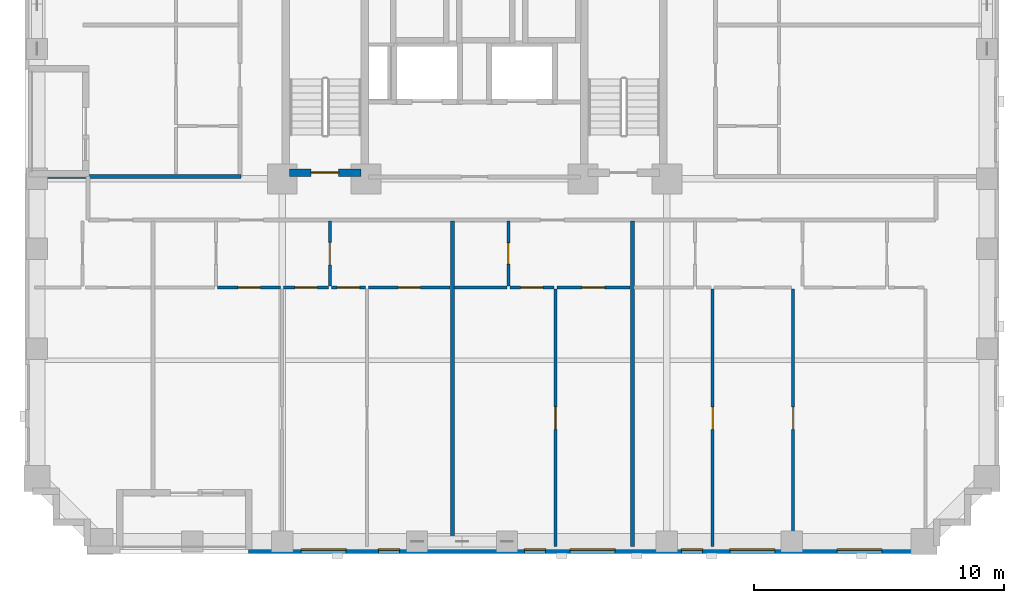
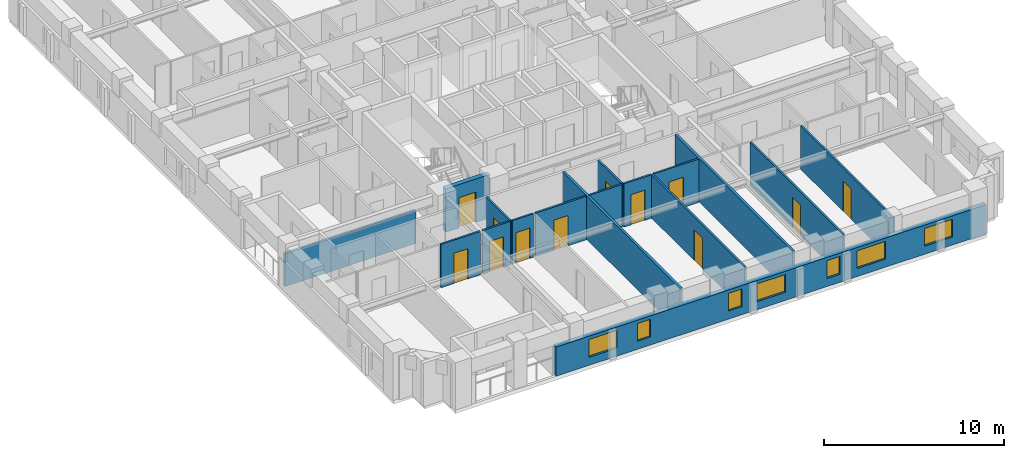
# One storey, part 3 of 14: 17 walls, 12 doors, 7 windows, 19 openings.
"""IFC4 building model written with IfcOpenShell, lengths in metres."""

from ifc_helpers import new_model, si_unit, derived_unit, direction, frame, frame_2d, origin, place, context, subcontext, project, spatial, rectangle, extrude, material, layer, layer_set, type_object, element, fill, save


model = new_model("IFC4")

# Units and contexts
model_context = context("Model", 3, precision=1e-05, world=origin(), true_north=direction((0.0, 1.0)))
body_context = subcontext(model_context, "Body", "Model", "MODEL_VIEW")
ifc_project = project(units=[si_unit("LENGTHUNIT", "METRE"), si_unit("AREAUNIT", "SQUARE_METRE"), si_unit("VOLUMEUNIT", "CUBIC_METRE"), si_unit("PLANEANGLEUNIT", "RADIAN"), si_unit("MASSUNIT", "GRAM", prefix="KILO"), derived_unit("THERMALTRANSMITTANCEUNIT", [(si_unit("MASSUNIT", "GRAM", prefix="KILO"), 1), (si_unit("TIMEUNIT", "SECOND"), -3), (si_unit("THERMODYNAMICTEMPERATUREUNIT", "KELVIN"), -1)])], contexts=[model_context])

# Site, building, storey
site_placement = place(None, origin())
site = spatial("IfcSite", under=ifc_project, at=site_placement, CompositionType="ELEMENT")
building_placement = place(site_placement, origin())
building = spatial("IfcBuilding", under=site, at=building_placement, Name="Korrvale Station Residences", CompositionType="ELEMENT")
storey_placement = place(building_placement, frame((0.0, 0.0, 57.800048828125)))
storey = spatial("IfcBuildingStorey", under=building, at=storey_placement, Name="L15", CompositionType="ELEMENT", Elevation=57.800048828125)

# Wall, opening, door
ifc_material_1 = material(Name="Concrete C70/85", Category="concrete")
ifc_layer_1 = layer(ifc_material_1, 0.300048828125, Name="Concrete C70/85")
ifc_layer_set_1 = layer_set([ifc_layer_1], Name="Concrete C70/85")
wall_type_1 = type_object("IfcWallType", Name="WAL-CORE-300-C70", PredefinedType="SHEAR", material=ifc_layer_set_1)
wall_1_placement = place(storey_placement, frame((18.10009765625, 15.25, 0.0), z_axis=(0.0, 0.0, 1.0), x_axis=(1.0, 0.0, 0.0)))
wall_1 = element("IfcWall", 1, at=wall_1_placement, inside=storey, type_object=wall_type_1, Name="L15 ST-1 Core Shear Wall South", PredefinedType="SHEAR", context=body_context, shape_type="SweptSolid", body=[
    extrude(rectangle(XDim=2.849853515625, YDim=0.300048828125, at=frame_2d((1.4248046875, 0.0))), origin(), (0.0, 0.0, 1.0), 2.93994140625),
])
opening_1_placement = place(wall_1_placement, frame((0.860107421875, 0.0, 0.0)))
opening_1 = element("IfcOpeningElement", 2, at=opening_1_placement, cuts=wall_1, Name="Opening SD-1100", PredefinedType="OPENING", context=body_context, shape_type="SweptSolid", body=[
    extrude(rectangle(XDim=1.10009765625, YDim=2.050048828125, at=frame_2d((0.550048828125, 1.02490234375))), frame((0.0, 0.16015625, 0.0), z_axis=(0.0, -1.0, 0.0), x_axis=(1.0, 0.0, 0.0)), (0.0, 0.0, 1.0), 0.320068359375),
])
ifc_material_2 = material(Name="Hollow-metal fire-rated stair door with closer", Category="steel")
door_type_1 = type_object("IfcDoorType", Name="DR-STAIR-1100", OperationType="NOTDEFINED", PredefinedType="DOOR", material=ifc_material_2)
door_1_placement = place(opening_1_placement, origin())
door_1 = element("IfcDoor", 3, at=door_1_placement, inside=storey, type_object=door_type_1, Name="L15 ST-1 Exit Stair Door", OperationType="SINGLE_SWING_LEFT", OverallHeight=2.050048828125, OverallWidth=1.10009765625, PredefinedType="DOOR", context=body_context, shape_type="SweptSolid", body=[
    extrude(rectangle(XDim=1.10009765625, YDim=2.050048828125, at=frame_2d((0.550048828125, 1.02490234375))), frame((0.0, 0.02490234375, 0.0), z_axis=(0.0, -1.0, 0.0), x_axis=(1.0, 0.0, 0.0)), (0.0, 0.0, 1.0), 0.050048828125),
])
fill(opening_1, door_1)

# Wall, openings, windows
ifc_material_3 = material(Name="Precast concrete C45/55", Category="concrete")
ifc_layer_2 = layer(ifc_material_3, 0.300048828125, Name="Precast concrete C45/55")
ifc_layer_set_2 = layer_set([ifc_layer_2], Name="Precast concrete C45/55")
wall_type_2 = type_object("IfcWallType", Name="WAL-EXT-PC300", PredefinedType="SOLIDWALL", material=ifc_layer_set_2)
wall_2_placement = place(storey_placement, frame((44.0, 0.14990234375, 0.0), z_axis=(0.0, 0.0, 1.0), x_axis=(-1.0, 0.0, 0.0)))
wall_2 = element("IfcWall", 4, at=wall_2_placement, inside=storey, type_object=wall_type_2, Name="L15 South Exterior Precast Wall 1", PredefinedType="SOLIDWALL", context=body_context, shape_type="SweptSolid", body=[
    extrude(rectangle(XDim=27.550048828125, YDim=0.300048828125, at=frame_2d((13.77490234375, 0.0))), origin(), (0.0, 0.0, 1.0), 1.974853515625),
])
opening_2_placement = place(wall_2_placement, frame((23.639892578125, 0.0, 0.550048828125)))
opening_2 = element("IfcOpeningElement", 5, at=opening_2_placement, cuts=wall_2, Name="Opening W-09", PredefinedType="OPENING", context=body_context, shape_type="SweptSolid", body=[
    extrude(rectangle(XDim=1.800048828125, YDim=1.199951171875, at=frame_2d((0.89990234375, 0.60009765625))), frame((0.0, 0.16015625, 0.0), z_axis=(0.0, -1.0, 0.0), x_axis=(1.0, 0.0, 0.0)), (0.0, 0.0, 1.0), 0.320068359375),
])
opening_3_placement = place(wall_2_placement, frame((21.5, 0.0, 0.550048828125)))
opening_3 = element("IfcOpeningElement", 6, at=opening_3_placement, cuts=wall_2, Name="Opening W-11", PredefinedType="OPENING", context=body_context, shape_type="SweptSolid", body=[
    extrude(rectangle(XDim=0.85009765625, YDim=1.199951171875, at=frame_2d((0.425048828125, 0.60009765625))), frame((0.0, 0.16015625, 0.0), z_axis=(0.0, -1.0, 0.0), x_axis=(1.0, 0.0, 0.0)), (0.0, 0.0, 1.0), 0.320068359375),
])
opening_4_placement = place(wall_2_placement, frame((15.64990234375, 0.0, 0.550048828125)))
opening_4 = element("IfcOpeningElement", 7, at=opening_4_placement, cuts=wall_2, Name="Opening W-11", PredefinedType="OPENING", context=body_context, shape_type="SweptSolid", body=[
    extrude(rectangle(XDim=0.85009765625, YDim=1.199951171875, at=frame_2d((0.425048828125, 0.60009765625))), frame((0.0, 0.16015625, 0.0), z_axis=(0.0, -1.0, 0.0), x_axis=(1.0, 0.0, 0.0)), (0.0, 0.0, 1.0), 0.320068359375),
])
opening_5_placement = place(wall_2_placement, frame((12.875, 0.0, 0.550048828125)))
opening_5 = element("IfcOpeningElement", 8, at=opening_5_placement, cuts=wall_2, Name="Opening W-09", PredefinedType="OPENING", context=body_context, shape_type="SweptSolid", body=[
    extrude(rectangle(XDim=1.800048828125, YDim=1.199951171875, at=frame_2d((0.89990234375, 0.60009765625))), frame((0.0, 0.16015625, 0.0), z_axis=(0.0, -1.0, 0.0), x_axis=(1.0, 0.0, 0.0)), (0.0, 0.0, 1.0), 0.320068359375),
])
opening_6_placement = place(wall_2_placement, frame((9.364990234375, 0.0, 0.550048828125)))
opening_6 = element("IfcOpeningElement", 9, at=opening_6_placement, cuts=wall_2, Name="Opening W-11", PredefinedType="OPENING", context=body_context, shape_type="SweptSolid", body=[
    extrude(rectangle(XDim=0.85009765625, YDim=1.199951171875, at=frame_2d((0.425048828125, 0.60009765625))), frame((0.0, 0.16015625, 0.0), z_axis=(0.0, -1.0, 0.0), x_axis=(1.0, 0.0, 0.0)), (0.0, 0.0, 1.0), 0.320068359375),
])
opening_7_placement = place(wall_2_placement, frame((6.47705078125, 0.0, 0.550048828125)))
opening_7 = element("IfcOpeningElement", 10, at=opening_7_placement, cuts=wall_2, Name="Opening W-09", PredefinedType="OPENING", context=body_context, shape_type="SweptSolid", body=[
    extrude(rectangle(XDim=1.800048828125, YDim=1.199951171875, at=frame_2d((0.89990234375, 0.60009765625))), frame((0.0, 0.16015625, 0.0), z_axis=(0.0, -1.0, 0.0), x_axis=(1.0, 0.0, 0.0)), (0.0, 0.0, 1.0), 0.320068359375),
])
opening_8_placement = place(wall_2_placement, frame((2.18603515625, 0.0, 0.550048828125)))
opening_8 = element("IfcOpeningElement", 11, at=opening_8_placement, cuts=wall_2, Name="Opening W-09", PredefinedType="OPENING", context=body_context, shape_type="SweptSolid", body=[
    extrude(rectangle(XDim=1.800048828125, YDim=1.199951171875, at=frame_2d((0.89990234375, 0.60009765625))), frame((0.0, 0.16015625, 0.0), z_axis=(0.0, -1.0, 0.0), x_axis=(1.0, 0.0, 0.0)), (0.0, 0.0, 1.0), 0.320068359375),
])
ifc_material_4 = material(Name="Thermally broken aluminium frame with triple low-e glazing", Category="aluminium")
window_type_1 = type_object("IfcWindowType", Name="WIN-W09", PartitioningType="DOUBLE_PANEL_VERTICAL", PredefinedType="WINDOW", material=ifc_material_4)
window_1_placement = place(opening_2_placement, origin())
window_1 = element("IfcWindow", 12, at=window_1_placement, inside=storey, type_object=window_type_1, Name="L15 Punched Window 04", OverallHeight=1.199951171875, OverallWidth=1.800048828125, PartitioningType="DOUBLE_PANEL_VERTICAL", PredefinedType="WINDOW", context=body_context, shape_type="SweptSolid", body=[
    extrude(rectangle(XDim=1.800048828125, YDim=1.199951171875, at=frame_2d((0.89990234375, 0.60009765625))), frame((0.0, 0.030029296875, 0.0), z_axis=(0.0, -1.0, 0.0), x_axis=(1.0, 0.0, 0.0)), (0.0, 0.0, 1.0), 0.06005859375),
])
fill(opening_2, window_1)
window_2_placement = place(opening_5_placement, origin())
window_2 = element("IfcWindow", 13, at=window_2_placement, inside=storey, type_object=window_type_1, Name="L15 Punched Window 07", OverallHeight=1.199951171875, OverallWidth=1.800048828125, PartitioningType="DOUBLE_PANEL_VERTICAL", PredefinedType="WINDOW", context=body_context, shape_type="SweptSolid", body=[
    extrude(rectangle(XDim=1.800048828125, YDim=1.199951171875, at=frame_2d((0.89990234375, 0.60009765625))), frame((0.0, 0.030029296875, 0.0), z_axis=(0.0, -1.0, 0.0), x_axis=(1.0, 0.0, 0.0)), (0.0, 0.0, 1.0), 0.06005859375),
])
fill(opening_5, window_2)
window_3_placement = place(opening_7_placement, origin())
window_3 = element("IfcWindow", 14, at=window_3_placement, inside=storey, type_object=window_type_1, Name="L15 Punched Window 09", OverallHeight=1.199951171875, OverallWidth=1.800048828125, PartitioningType="DOUBLE_PANEL_VERTICAL", PredefinedType="WINDOW", context=body_context, shape_type="SweptSolid", body=[
    extrude(rectangle(XDim=1.800048828125, YDim=1.199951171875, at=frame_2d((0.89990234375, 0.60009765625))), frame((0.0, 0.030029296875, 0.0), z_axis=(0.0, -1.0, 0.0), x_axis=(1.0, 0.0, 0.0)), (0.0, 0.0, 1.0), 0.06005859375),
])
fill(opening_7, window_3)
window_4_placement = place(opening_8_placement, origin())
window_4 = element("IfcWindow", 15, at=window_4_placement, inside=storey, type_object=window_type_1, Name="L15 Punched Window 10", OverallHeight=1.199951171875, OverallWidth=1.800048828125, PartitioningType="DOUBLE_PANEL_VERTICAL", PredefinedType="WINDOW", context=body_context, shape_type="SweptSolid", body=[
    extrude(rectangle(XDim=1.800048828125, YDim=1.199951171875, at=frame_2d((0.89990234375, 0.60009765625))), frame((0.0, 0.030029296875, 0.0), z_axis=(0.0, -1.0, 0.0), x_axis=(1.0, 0.0, 0.0)), (0.0, 0.0, 1.0), 0.06005859375),
])
fill(opening_8, window_4)
window_type_2 = type_object("IfcWindowType", Name="WIN-W11", PartitioningType="SINGLE_PANEL", PredefinedType="WINDOW", material=ifc_material_4)
window_5_placement = place(opening_3_placement, origin())
window_5 = element("IfcWindow", 16, at=window_5_placement, inside=storey, type_object=window_type_2, Name="L15 Punched Window 05", OverallHeight=1.199951171875, OverallWidth=0.85009765625, PartitioningType="SINGLE_PANEL", PredefinedType="WINDOW", context=body_context, shape_type="SweptSolid", body=[
    extrude(rectangle(XDim=0.85009765625, YDim=1.199951171875, at=frame_2d((0.425048828125, 0.60009765625))), frame((0.0, 0.030029296875, 0.0), z_axis=(0.0, -1.0, 0.0), x_axis=(1.0, 0.0, 0.0)), (0.0, 0.0, 1.0), 0.06005859375),
])
fill(opening_3, window_5)
window_6_placement = place(opening_4_placement, origin())
window_6 = element("IfcWindow", 17, at=window_6_placement, inside=storey, type_object=window_type_2, Name="L15 Punched Window 06", OverallHeight=1.199951171875, OverallWidth=0.85009765625, PartitioningType="SINGLE_PANEL", PredefinedType="WINDOW", context=body_context, shape_type="SweptSolid", body=[
    extrude(rectangle(XDim=0.85009765625, YDim=1.199951171875, at=frame_2d((0.425048828125, 0.60009765625))), frame((0.0, 0.030029296875, 0.0), z_axis=(0.0, -1.0, 0.0), x_axis=(1.0, 0.0, 0.0)), (0.0, 0.0, 1.0), 0.06005859375),
])
fill(opening_4, window_6)
window_7_placement = place(opening_6_placement, origin())
window_7 = element("IfcWindow", 18, at=window_7_placement, inside=storey, type_object=window_type_2, Name="L15 Punched Window 08", OverallHeight=1.199951171875, OverallWidth=0.85009765625, PartitioningType="SINGLE_PANEL", PredefinedType="WINDOW", context=body_context, shape_type="SweptSolid", body=[
    extrude(rectangle(XDim=0.85009765625, YDim=1.199951171875, at=frame_2d((0.425048828125, 0.60009765625))), frame((0.0, 0.030029296875, 0.0), z_axis=(0.0, -1.0, 0.0), x_axis=(1.0, 0.0, 0.0)), (0.0, 0.0, 1.0), 0.06005859375),
])
fill(opening_6, window_7)

# Wall, opening, door
ifc_material_5 = material(Name="Acoustic steel-stud gypsum board partition", Category="steel")
ifc_layer_3 = layer(ifc_material_5, 0.1201171875, Name="Acoustic steel-stud gypsum board partition")
ifc_layer_set_3 = layer_set([ifc_layer_3], Name="Acoustic steel-stud gypsum board partition")
wall_type_3 = type_object("IfcWallType", Name="WAL-PART-125", PredefinedType="PARTITIONING", material=ifc_layer_set_3)
wall_3_placement = place(storey_placement, frame((19.70703125, 10.7099609375, 0.0), z_axis=(0.0, 0.0, 1.0), x_axis=(0.0, 1.0, 0.0)))
wall_3 = element("IfcWall", 19, at=wall_3_placement, inside=storey, type_object=wall_type_3, Name="L15 Suite Partition U02-V12", PredefinedType="PARTITIONING", context=body_context, shape_type="SweptSolid", body=[
    extrude(rectangle(XDim=2.60009765625, YDim=0.1201171875, at=frame_2d((1.300048828125, 0.0))), origin(), (0.0, 0.0, 1.0), 2.93994140625),
])
opening_9_placement = place(wall_3_placement, frame((0.85009765625, 0.0, 0.0)))
opening_9 = element("IfcOpeningElement", 20, at=opening_9_placement, cuts=wall_3, Name="Opening DI-900", PredefinedType="OPENING", context=body_context, shape_type="SweptSolid", body=[
    extrude(rectangle(XDim=0.89990234375, YDim=2.050048828125, at=frame_2d((0.449951171875, 1.02490234375))), frame((0.0, 0.070068359375, 0.0), z_axis=(0.0, -1.0, 0.0), x_axis=(1.0, 0.0, 0.0)), (0.0, 0.0, 1.0), 0.14013671875),
])
ifc_material_6 = material(Name="Painted solid-core timber interior room door", Category="wood")
door_type_2 = type_object("IfcDoorType", Name="DR-INT-900", OperationType="NOTDEFINED", PredefinedType="DOOR", material=ifc_material_6)
door_2_placement = place(opening_9_placement, origin())
door_2 = element("IfcDoor", 21, at=door_2_placement, inside=storey, type_object=door_type_2, Name="L15 Apartment 2BR L15-U02 Kitchen Door", OperationType="SINGLE_SWING_LEFT", OverallHeight=2.050048828125, OverallWidth=0.89990234375, PredefinedType="DOOR", context=body_context, shape_type="SweptSolid", body=[
    extrude(rectangle(XDim=0.89990234375, YDim=2.050048828125, at=frame_2d((0.449951171875, 1.02490234375))), frame((0.0, 0.02490234375, 0.0), z_axis=(0.0, -1.0, 0.0), x_axis=(1.0, 0.0, 0.0)), (0.0, 0.0, 1.0), 0.050048828125),
])
fill(opening_9, door_2)

wall_4_placement = place(storey_placement, frame((15.20703125, 10.64990234375, 0.0), z_axis=(0.0, 0.0, 1.0), x_axis=(1.0, 0.0, 0.0)))
wall_4 = element("IfcWall", 22, at=wall_4_placement, inside=storey, type_object=wall_type_3, Name="L15 Suite Partition U02-H13", PredefinedType="PARTITIONING", context=body_context, shape_type="SweptSolid", body=[
    extrude(rectangle(XDim=2.532958984375, YDim=0.1201171875, at=frame_2d((1.2666015625, 0.0))), origin(), (0.0, 0.0, 1.0), 2.93994140625),
])
opening_10_placement = place(wall_4_placement, frame((0.81591796875, 0.0, 0.0)))
opening_10 = element("IfcOpeningElement", 23, at=opening_10_placement, cuts=wall_4, Name="Opening DI-900", PredefinedType="OPENING", context=body_context, shape_type="SweptSolid", body=[
    extrude(rectangle(XDim=0.89990234375, YDim=2.050048828125, at=frame_2d((0.449951171875, 1.02490234375))), frame((0.0, 0.070068359375, 0.0), z_axis=(0.0, -1.0, 0.0), x_axis=(1.0, 0.0, 0.0)), (0.0, 0.0, 1.0), 0.14013671875),
])
door_3_placement = place(opening_10_placement, origin())
door_3 = element("IfcDoor", 24, at=door_3_placement, inside=storey, type_object=door_type_2, Name="L15 Apartment 2BR L15-U02 Kitchen Door", OperationType="SINGLE_SWING_RIGHT", OverallHeight=2.050048828125, OverallWidth=0.89990234375, PredefinedType="DOOR", context=body_context, shape_type="SweptSolid", body=[
    extrude(rectangle(XDim=0.89990234375, YDim=2.050048828125, at=frame_2d((0.449951171875, 1.02490234375))), frame((0.0, 0.02490234375, 0.0), z_axis=(0.0, -1.0, 0.0), x_axis=(1.0, 0.0, 0.0)), (0.0, 0.0, 1.0), 0.050048828125),
])
fill(opening_10, door_3)

wall_5_placement = place(storey_placement, frame((17.860107421875, 10.64990234375, 0.0), z_axis=(0.0, 0.0, 1.0), x_axis=(1.0, 0.0, 0.0)))
wall_5 = element("IfcWall", 25, at=wall_5_placement, inside=storey, type_object=wall_type_3, Name="L15 Suite Partition U02-H14", PredefinedType="PARTITIONING", context=body_context, shape_type="SweptSolid", body=[
    extrude(rectangle(XDim=1.786865234375, YDim=0.1201171875, at=frame_2d((0.8935546875, 0.0))), origin(), (0.0, 0.0, 1.0), 2.93994140625),
])
opening_11_placement = place(wall_5_placement, frame((0.443115234375, 0.0, 0.0)))
opening_11 = element("IfcOpeningElement", 26, at=opening_11_placement, cuts=wall_5, Name="Opening DI-900", PredefinedType="OPENING", context=body_context, shape_type="SweptSolid", body=[
    extrude(rectangle(XDim=0.89990234375, YDim=2.050048828125, at=frame_2d((0.449951171875, 1.02490234375))), frame((0.0, 0.070068359375, 0.0), z_axis=(0.0, -1.0, 0.0), x_axis=(1.0, 0.0, 0.0)), (0.0, 0.0, 1.0), 0.14013671875),
])
door_4_placement = place(opening_11_placement, origin())
door_4 = element("IfcDoor", 27, at=door_4_placement, inside=storey, type_object=door_type_2, Name="L15 Apartment 2BR L15-U02 Kitchen Door", OperationType="SINGLE_SWING_LEFT", OverallHeight=2.050048828125, OverallWidth=0.89990234375, PredefinedType="DOOR", context=body_context, shape_type="SweptSolid", body=[
    extrude(rectangle(XDim=0.89990234375, YDim=2.050048828125, at=frame_2d((0.449951171875, 1.02490234375))), frame((0.0, 0.02490234375, 0.0), z_axis=(0.0, -1.0, 0.0), x_axis=(1.0, 0.0, 0.0)), (0.0, 0.0, 1.0), 0.050048828125),
])
fill(opening_11, door_4)

wall_6_placement = place(storey_placement, frame((19.76708984375, 10.64990234375, 0.0), z_axis=(0.0, 0.0, 1.0), x_axis=(1.0, 0.0, 0.0)))
wall_6 = element("IfcWall", 28, at=wall_6_placement, inside=storey, type_object=wall_type_3, Name="L15 Suite Partition U02-H24", PredefinedType="PARTITIONING", context=body_context, shape_type="SweptSolid", body=[
    extrude(rectangle(XDim=1.364013671875, YDim=0.1201171875, at=frame_2d((0.68212890625, 0.0))), origin(), (0.0, 0.0, 1.0), 2.93994140625),
])
opening_12_placement = place(wall_6_placement, frame((0.23193359375, 0.0, 0.0)))
opening_12 = element("IfcOpeningElement", 29, at=opening_12_placement, cuts=wall_6, Name="Opening DI-900", PredefinedType="OPENING", context=body_context, shape_type="SweptSolid", body=[
    extrude(rectangle(XDim=0.89990234375, YDim=2.050048828125, at=frame_2d((0.449951171875, 1.02490234375))), frame((0.0, 0.070068359375, 0.0), z_axis=(0.0, -1.0, 0.0), x_axis=(1.0, 0.0, 0.0)), (0.0, 0.0, 1.0), 0.14013671875),
])
door_5_placement = place(opening_12_placement, origin())
door_5 = element("IfcDoor", 30, at=door_5_placement, inside=storey, type_object=door_type_2, Name="L15 Apartment 2BR L15-U02 Home Study Room Door", OperationType="SINGLE_SWING_RIGHT", OverallHeight=2.050048828125, OverallWidth=0.89990234375, PredefinedType="DOOR", context=body_context, shape_type="SweptSolid", body=[
    extrude(rectangle(XDim=0.89990234375, YDim=2.050048828125, at=frame_2d((0.449951171875, 1.02490234375))), frame((0.0, 0.02490234375, 0.0), z_axis=(0.0, -1.0, 0.0), x_axis=(1.0, 0.0, 0.0)), (0.0, 0.0, 1.0), 0.050048828125),
])
fill(opening_12, door_5)

wall_7_placement = place(storey_placement, frame((21.2509765625, 10.64990234375, 0.0), z_axis=(0.0, 0.0, 1.0), x_axis=(1.0, 0.0, 0.0)))
wall_7 = element("IfcWall", 31, at=wall_7_placement, inside=storey, type_object=wall_type_3, Name="L15 Suite Partition U02-H25", PredefinedType="PARTITIONING", context=body_context, shape_type="SweptSolid", body=[
    extrude(rectangle(XDim=3.27001953125, YDim=0.1201171875, at=frame_2d((1.635009765625, 0.0))), origin(), (0.0, 0.0, 1.0), 2.93994140625),
])
opening_13_placement = place(wall_7_placement, frame((1.18505859375, 0.0, 0.0)))
opening_13 = element("IfcOpeningElement", 32, at=opening_13_placement, cuts=wall_7, Name="Opening DI-900", PredefinedType="OPENING", context=body_context, shape_type="SweptSolid", body=[
    extrude(rectangle(XDim=0.89990234375, YDim=2.050048828125, at=frame_2d((0.449951171875, 1.02490234375))), frame((0.0, 0.070068359375, 0.0), z_axis=(0.0, -1.0, 0.0), x_axis=(1.0, 0.0, 0.0)), (0.0, 0.0, 1.0), 0.14013671875),
])
door_6_placement = place(opening_13_placement, origin())
door_6 = element("IfcDoor", 33, at=door_6_placement, inside=storey, type_object=door_type_2, Name="L15 Apartment 2BR L15-U02 Home Study Room Door", OperationType="SINGLE_SWING_LEFT", OverallHeight=2.050048828125, OverallWidth=0.89990234375, PredefinedType="DOOR", context=body_context, shape_type="SweptSolid", body=[
    extrude(rectangle(XDim=0.89990234375, YDim=2.050048828125, at=frame_2d((0.449951171875, 1.02490234375))), frame((0.0, 0.02490234375, 0.0), z_axis=(0.0, -1.0, 0.0), x_axis=(1.0, 0.0, 0.0)), (0.0, 0.0, 1.0), 0.050048828125),
])
fill(opening_13, door_6)

wall_8_placement = place(storey_placement, frame((26.85205078125, 10.7099609375, 0.0), z_axis=(0.0, 0.0, 1.0), x_axis=(0.0, 1.0, 0.0)))
wall_8 = element("IfcWall", 34, at=wall_8_placement, inside=storey, type_object=wall_type_3, Name="L15 Suite Partition U03-V01", PredefinedType="PARTITIONING", context=body_context, shape_type="SweptSolid", body=[
    extrude(rectangle(XDim=2.60009765625, YDim=0.1201171875, at=frame_2d((1.300048828125, 0.0))), origin(), (0.0, 0.0, 1.0), 2.93994140625),
])
opening_14_placement = place(wall_8_placement, frame((0.8701171875, 0.0, 0.0)))
opening_14 = element("IfcOpeningElement", 35, at=opening_14_placement, cuts=wall_8, Name="Opening DB-860", PredefinedType="OPENING", context=body_context, shape_type="SweptSolid", body=[
    extrude(rectangle(XDim=0.860107421875, YDim=2.050048828125, at=frame_2d((0.43017578125, 1.02490234375))), frame((0.0, 0.070068359375, 0.0), z_axis=(0.0, -1.0, 0.0), x_axis=(1.0, 0.0, 0.0)), (0.0, 0.0, 1.0), 0.14013671875),
])
ifc_material_7 = material(Name="Moisture-resistant solid-core bathroom door", Category="timber")
door_type_3 = type_object("IfcDoorType", Name="DR-BATH-860", OperationType="NOTDEFINED", PredefinedType="DOOR", material=ifc_material_7)
door_7_placement = place(opening_14_placement, origin())
door_7 = element("IfcDoor", 36, at=door_7_placement, inside=storey, type_object=door_type_3, Name="L15 Apartment 1BR L15-U03 Bathroom Door", OperationType="SINGLE_SWING_RIGHT", OverallHeight=2.050048828125, OverallWidth=0.860107421875, PredefinedType="DOOR", context=body_context, shape_type="SweptSolid", body=[
    extrude(rectangle(XDim=0.860107421875, YDim=2.050048828125, at=frame_2d((0.43017578125, 1.02490234375))), frame((0.0, 0.02490234375, 0.0), z_axis=(0.0, -1.0, 0.0), x_axis=(1.0, 0.0, 0.0)), (0.0, 0.0, 1.0), 0.050048828125),
])
fill(opening_14, door_7)

# Wall
wall_9_placement = place(storey_placement, frame((24.680908203125, 10.64990234375, 0.0), z_axis=(0.0, 0.0, 1.0), x_axis=(1.0, 0.0, 0.0)))
element("IfcWall", 37, at=wall_9_placement, inside=storey, type_object=wall_type_3, Name="L15 Suite Partition U03-H02", PredefinedType="PARTITIONING", context=body_context, shape_type="SweptSolid", body=[
    extrude(rectangle(XDim=2.111083984375, YDim=0.1201171875, at=frame_2d((1.0556640625, 0.0))), origin(), (0.0, 0.0, 1.0), 2.93994140625),
])

# Wall, opening, door
wall_10_placement = place(storey_placement, frame((26.912109375, 10.64990234375, 0.0), z_axis=(0.0, 0.0, 1.0), x_axis=(1.0, 0.0, 0.0)))
wall_10 = element("IfcWall", 38, at=wall_10_placement, inside=storey, type_object=wall_type_3, Name="L15 Suite Partition U03-H12", PredefinedType="PARTITIONING", context=body_context, shape_type="SweptSolid", body=[
    extrude(rectangle(XDim=1.766845703125, YDim=0.1201171875, at=frame_2d((0.88330078125, 0.0))), origin(), (0.0, 0.0, 1.0), 2.93994140625),
])
opening_15_placement = place(wall_10_placement, frame((0.43310546875, 0.0, 0.0)))
opening_15 = element("IfcOpeningElement", 39, at=opening_15_placement, cuts=wall_10, Name="Opening DI-900", PredefinedType="OPENING", context=body_context, shape_type="SweptSolid", body=[
    extrude(rectangle(XDim=0.89990234375, YDim=2.050048828125, at=frame_2d((0.449951171875, 1.02490234375))), frame((0.0, 0.070068359375, 0.0), z_axis=(0.0, -1.0, 0.0), x_axis=(1.0, 0.0, 0.0)), (0.0, 0.0, 1.0), 0.14013671875),
])
door_8_placement = place(opening_15_placement, origin())
door_8 = element("IfcDoor", 40, at=door_8_placement, inside=storey, type_object=door_type_2, Name="L15 Apartment 1BR L15-U03 Kitchen Door", OperationType="SINGLE_SWING_LEFT", OverallHeight=2.050048828125, OverallWidth=0.89990234375, PredefinedType="DOOR", context=body_context, shape_type="SweptSolid", body=[
    extrude(rectangle(XDim=0.89990234375, YDim=2.050048828125, at=frame_2d((0.449951171875, 1.02490234375))), frame((0.0, 0.02490234375, 0.0), z_axis=(0.0, -1.0, 0.0), x_axis=(1.0, 0.0, 0.0)), (0.0, 0.0, 1.0), 0.050048828125),
])
fill(opening_15, door_8)

wall_11_placement = place(storey_placement, frame((28.799072265625, 10.64990234375, 0.0), z_axis=(0.0, 0.0, 1.0), x_axis=(1.0, 0.0, 0.0)))
wall_11 = element("IfcWall", 41, at=wall_11_placement, inside=storey, type_object=wall_type_3, Name="L15 Suite Partition U03-H13", PredefinedType="PARTITIONING", context=body_context, shape_type="SweptSolid", body=[
    extrude(rectangle(XDim=2.91796875, YDim=0.1201171875, at=frame_2d((1.458984375, 0.0))), origin(), (0.0, 0.0, 1.0), 2.93994140625),
])
opening_16_placement = place(wall_11_placement, frame((1.009033203125, 0.0, 0.0)))
opening_16 = element("IfcOpeningElement", 42, at=opening_16_placement, cuts=wall_11, Name="Opening DI-900", PredefinedType="OPENING", context=body_context, shape_type="SweptSolid", body=[
    extrude(rectangle(XDim=0.89990234375, YDim=2.050048828125, at=frame_2d((0.449951171875, 1.02490234375))), frame((0.0, 0.070068359375, 0.0), z_axis=(0.0, -1.0, 0.0), x_axis=(1.0, 0.0, 0.0)), (0.0, 0.0, 1.0), 0.14013671875),
])
door_9_placement = place(opening_16_placement, origin())
door_9 = element("IfcDoor", 43, at=door_9_placement, inside=storey, type_object=door_type_2, Name="L15 Apartment 1BR L15-U03 Kitchen Door", OperationType="SINGLE_SWING_RIGHT", OverallHeight=2.050048828125, OverallWidth=0.89990234375, PredefinedType="DOOR", context=body_context, shape_type="SweptSolid", body=[
    extrude(rectangle(XDim=0.89990234375, YDim=2.050048828125, at=frame_2d((0.449951171875, 1.02490234375))), frame((0.0, 0.02490234375, 0.0), z_axis=(0.0, -1.0, 0.0), x_axis=(1.0, 0.0, 0.0)), (0.0, 0.0, 1.0), 0.050048828125),
])
fill(opening_16, door_9)

wall_12_placement = place(storey_placement, frame((28.739013671875, 0.280029296875, 0.0), z_axis=(0.0, 0.0, 1.0), x_axis=(0.0, 1.0, 0.0)))
wall_12 = element("IfcWall", 44, at=wall_12_placement, inside=storey, type_object=wall_type_3, Name="L15 Suite Partition U03-V23", PredefinedType="PARTITIONING", context=body_context, shape_type="SweptSolid", body=[
    extrude(rectangle(XDim=10.31005859375, YDim=0.1201171875, at=frame_2d((5.155029296875, 0.0))), origin(), (0.0, 0.0, 1.0), 2.93994140625),
])
opening_17_placement = place(wall_12_placement, frame((4.68994140625, 0.0, 0.0)))
opening_17 = element("IfcOpeningElement", 45, at=opening_17_placement, cuts=wall_12, Name="Opening DI-900", PredefinedType="OPENING", context=body_context, shape_type="SweptSolid", body=[
    extrude(rectangle(XDim=0.89990234375, YDim=2.050048828125, at=frame_2d((0.449951171875, 1.02490234375))), frame((0.0, 0.070068359375, 0.0), z_axis=(0.0, -1.0, 0.0), x_axis=(1.0, 0.0, 0.0)), (0.0, 0.0, 1.0), 0.14013671875),
])
door_10_placement = place(opening_17_placement, origin())
door_10 = element("IfcDoor", 46, at=door_10_placement, inside=storey, type_object=door_type_2, Name="L15 Apartment 1BR L15-U03 Living and Dining Room Door", OperationType="SINGLE_SWING_LEFT", OverallHeight=2.050048828125, OverallWidth=0.89990234375, PredefinedType="DOOR", context=body_context, shape_type="SweptSolid", body=[
    extrude(rectangle(XDim=0.89990234375, YDim=2.050048828125, at=frame_2d((0.449951171875, 1.02490234375))), frame((0.0, 0.02490234375, 0.0), z_axis=(0.0, -1.0, 0.0), x_axis=(1.0, 0.0, 0.0)), (0.0, 0.0, 1.0), 0.050048828125),
])
fill(opening_17, door_10)

wall_13_placement = place(storey_placement, frame((35.037109375, 0.280029296875, 0.0), z_axis=(0.0, 0.0, 1.0), x_axis=(0.0, 1.0, 0.0)))
wall_13 = element("IfcWall", 47, at=wall_13_placement, inside=storey, type_object=wall_type_3, Name="L15 Suite Partition U04-V45", PredefinedType="PARTITIONING", context=body_context, shape_type="SweptSolid", body=[
    extrude(rectangle(XDim=10.31005859375, YDim=0.1201171875, at=frame_2d((5.155029296875, 0.0))), origin(), (0.0, 0.0, 1.0), 2.93994140625),
])
opening_18_placement = place(wall_13_placement, frame((4.68994140625, 0.0, 0.0)))
opening_18 = element("IfcOpeningElement", 48, at=opening_18_placement, cuts=wall_13, Name="Opening DI-900", PredefinedType="OPENING", context=body_context, shape_type="SweptSolid", body=[
    extrude(rectangle(XDim=0.89990234375, YDim=2.050048828125, at=frame_2d((0.449951171875, 1.02490234375))), frame((0.0, 0.070068359375, 0.0), z_axis=(0.0, -1.0, 0.0), x_axis=(1.0, 0.0, 0.0)), (0.0, 0.0, 1.0), 0.14013671875),
])
door_11_placement = place(opening_18_placement, origin())
door_11 = element("IfcDoor", 49, at=door_11_placement, inside=storey, type_object=door_type_2, Name="L15 Studio Apartment L15-U04 Formal Dining Room Door", OperationType="SINGLE_SWING_RIGHT", OverallHeight=2.050048828125, OverallWidth=0.89990234375, PredefinedType="DOOR", context=body_context, shape_type="SweptSolid", body=[
    extrude(rectangle(XDim=0.89990234375, YDim=2.050048828125, at=frame_2d((0.449951171875, 1.02490234375))), frame((0.0, 0.02490234375, 0.0), z_axis=(0.0, -1.0, 0.0), x_axis=(1.0, 0.0, 0.0)), (0.0, 0.0, 1.0), 0.050048828125),
])
fill(opening_18, door_11)

wall_14_placement = place(storey_placement, frame((38.257080078125, 0.280029296875, 0.0), z_axis=(0.0, 0.0, 1.0), x_axis=(0.0, 1.0, 0.0)))
wall_14 = element("IfcWall", 50, at=wall_14_placement, inside=storey, type_object=wall_type_3, Name="L15 Suite Partition U04-V56", PredefinedType="PARTITIONING", context=body_context, shape_type="SweptSolid", body=[
    extrude(rectangle(XDim=10.31005859375, YDim=0.1201171875, at=frame_2d((5.155029296875, 0.0))), origin(), (0.0, 0.0, 1.0), 2.93994140625),
])
opening_19_placement = place(wall_14_placement, frame((4.68994140625, 0.0, 0.0)))
opening_19 = element("IfcOpeningElement", 51, at=opening_19_placement, cuts=wall_14, Name="Opening DI-900", PredefinedType="OPENING", context=body_context, shape_type="SweptSolid", body=[
    extrude(rectangle(XDim=0.89990234375, YDim=2.050048828125, at=frame_2d((0.449951171875, 1.02490234375))), frame((0.0, 0.070068359375, 0.0), z_axis=(0.0, -1.0, 0.0), x_axis=(1.0, 0.0, 0.0)), (0.0, 0.0, 1.0), 0.14013671875),
])
door_12_placement = place(opening_19_placement, origin())
door_12 = element("IfcDoor", 52, at=door_12_placement, inside=storey, type_object=door_type_2, Name="L15 Studio Apartment L15-U04 Formal Dining Room Door", OperationType="SINGLE_SWING_LEFT", OverallHeight=2.050048828125, OverallWidth=0.89990234375, PredefinedType="DOOR", context=body_context, shape_type="SweptSolid", body=[
    extrude(rectangle(XDim=0.89990234375, YDim=2.050048828125, at=frame_2d((0.449951171875, 1.02490234375))), frame((0.0, 0.02490234375, 0.0), z_axis=(0.0, -1.0, 0.0), x_axis=(1.0, 0.0, 0.0)), (0.0, 0.0, 1.0), 0.050048828125),
])
fill(opening_19, door_12)

# Walls
ifc_material_8 = material(Name="Fire-rated twin-stud gypsum and mineral wool shaftwall assembly", Category="gypsum")
ifc_layer_4 = layer(ifc_material_8, 0.159912109375, Name="Fire-rated twin-stud gypsum and mineral wool shaftwall assembly")
ifc_layer_set_4 = layer_set([ifc_layer_4], Name="Fire-rated twin-stud gypsum and mineral wool shaftwall assembly")
wall_type_4 = type_object("IfcWallType", Name="WAL-PART-200", PredefinedType="PARTITIONING", material=ifc_layer_set_4)
wall_15_placement = place(storey_placement, frame((7.780029296875, 15.090087890625, 0.0), z_axis=(0.0, 0.0, 1.0), x_axis=(1.0, 0.0, 0.0)))
element("IfcWall", 53, at=wall_15_placement, inside=storey, type_object=wall_type_4, Name="L15 West Wing South Corridor Wall", PredefinedType="PARTITIONING", context=body_context, shape_type="SweptSolid", body=[
    extrude(rectangle(XDim=8.35986328125, YDim=0.159912109375, at=frame_2d((4.179931640625, 0.0))), origin(), (0.0, 0.0, 1.0), 2.23193359375),
])
for number, where, z_axis, x_axis, name in (
    (54, (24.62109375, 0.280029296875, 0.0), (0.0, 0.0, 1.0), (0.0, 1.0, 0.0), "L15 Demising Wall U03-W"),
    (55, (31.81689453125, 0.280029296875, 0.0), (0.0, 0.0, 1.0), (0.0, 1.0, 0.0), "L15 Demising Wall U04-W"),
):
    element("IfcWall", number, at=place(storey_placement, frame(where, z_axis=z_axis, x_axis=x_axis)), inside=storey, type_object=wall_type_4, Name=name, PredefinedType="PARTITIONING", context=body_context, shape_type="SweptSolid", body=[
        extrude(rectangle(XDim=13.030029296875, YDim=0.159912109375, at=frame_2d((6.51513671875, 0.0))), origin(), (0.0, 0.0, 1.0), 2.93994140625),
    ])

save(model, "model.ifc")
